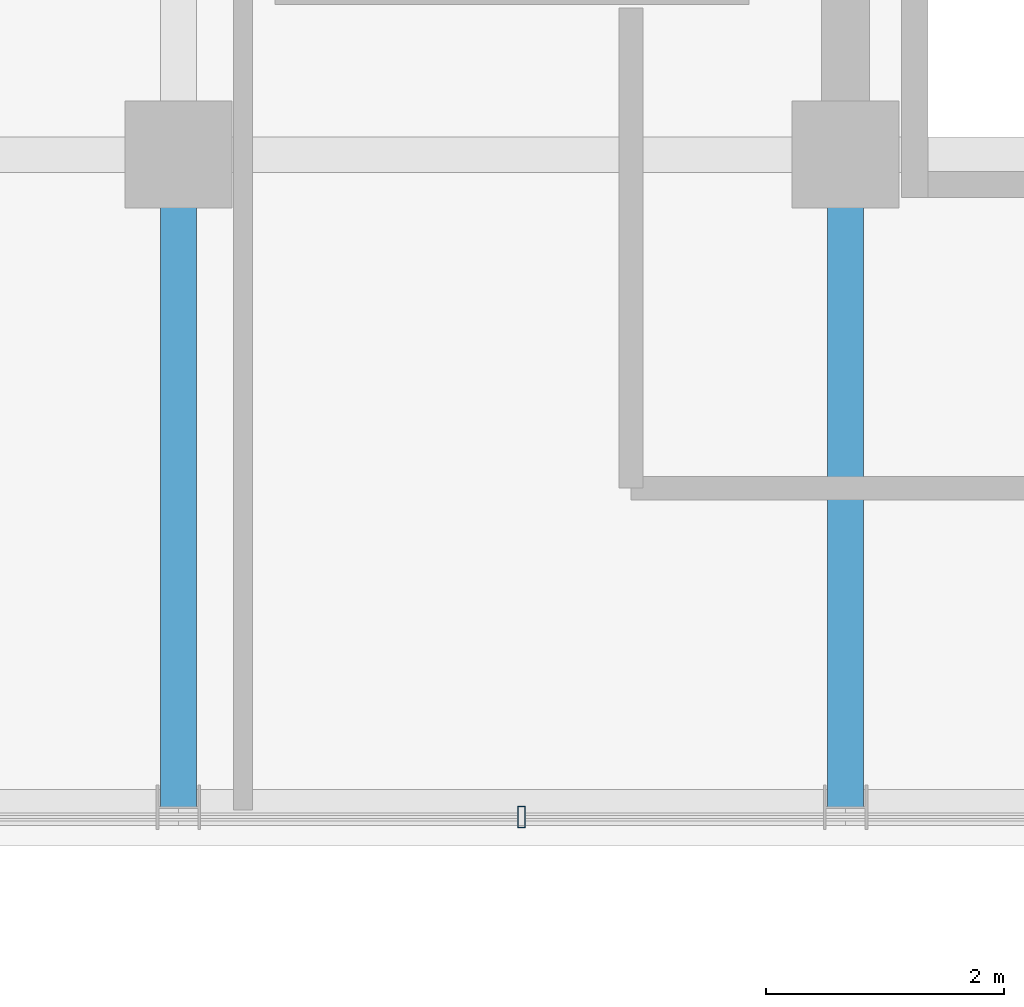
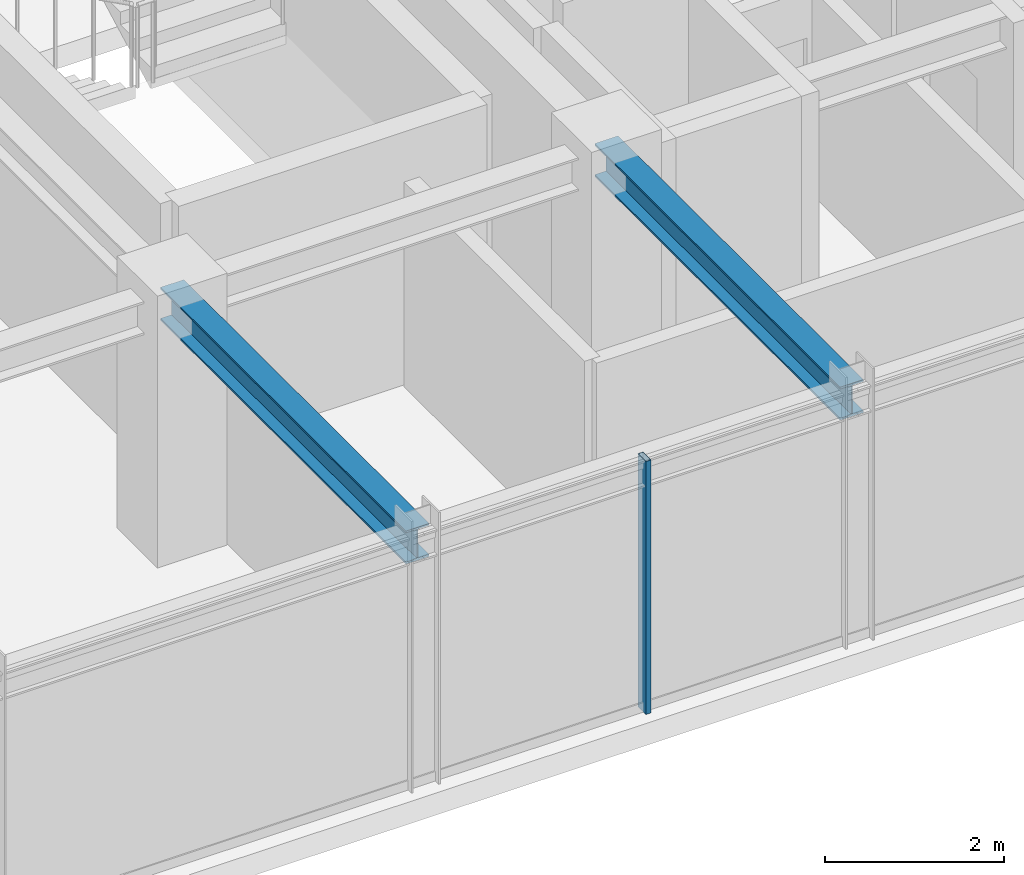
# One storey, part 7 of 33: 2 beams, 1 member, 1 element without a shape of its own.
"""IFC4 building model written with IfcOpenShell, lengths in metres."""

from ifc_helpers import new_model, si_unit, direction, frame, origin, origin_2d, place, context, subcontext, project, spatial, hollow_rectangle, i_section, extrude, source, transform, mapped, material, material_profile, profile_set, type_object, element, aggregate, save


model = new_model("IFC4")

# Units and contexts
model_context = context("Model", 3, precision=1e-05, world=origin(), true_north=direction((0.0, 1.0)))
body_context = subcontext(model_context, "Body", "Model", "MODEL_VIEW")
ifc_project = project(units=[si_unit("LENGTHUNIT", "METRE"), si_unit("AREAUNIT", "SQUARE_METRE"), si_unit("VOLUMEUNIT", "CUBIC_METRE"), si_unit("PLANEANGLEUNIT", "RADIAN"), si_unit("MASSUNIT", "GRAM", prefix="KILO")], contexts=[model_context])

# Site, building, storey
site_placement = place(None, origin())
site = spatial("IfcSite", under=ifc_project, at=site_placement, CompositionType="ELEMENT")
building_placement = place(site_placement, origin())
building = spatial("IfcBuilding", under=site, at=building_placement, Name="Nahalor Promenade Grand Hotel", CompositionType="ELEMENT")
storey_placement = place(building_placement, frame((0.0, 0.0, 270.050048828125)))
storey = spatial("IfcBuildingStorey", under=building, at=storey_placement, Name="L69", CompositionType="ELEMENT", Elevation=270.050048828125)

# Beams
ifc_material_1 = material(Name="Steel S355JR", Category="steel")
ifc_material_profile_1 = material_profile(ifc_material_1, i_section(OverallWidth=0.3, OverallDepth=0.45, WebThickness=0.014, FlangeThickness=0.026, at=origin_2d()), Name="HEB 450")
ifc_profile_set_1 = profile_set([ifc_material_profile_1], Name="Steel S355JR")
beam_type = type_object("IfcBeamType", Name="Beam-Girder-HEB450", PredefinedType="BEAM", material=ifc_profile_set_1)
shared_shape_1 = source(origin(), body_context, "Body", "SweptSolid", [
    extrude(i_section(OverallWidth=0.3, OverallDepth=0.45, WebThickness=0.014, FlangeThickness=0.026, at=origin_2d()), origin(), (0.0, 0.0, 1.0), 5.47998046875),
])
for number, where, z_axis, x_axis, name in (
    (1, (2.800048828125, -22.47998046875, 3.224853515625), (0.0, 1.0, 0.0), (-1.0, 0.0, 0.0), "BM-L69-GY-3-0"),
    (2, (8.39990234375, -22.47998046875, 3.224853515625), (0.0, 1.0, 0.0), (-1.0, 0.0, 0.0), "BM-L69-GY-4-0"),
):
    element("IfcBeam", number, at=place(storey_placement, frame(where, z_axis=z_axis, x_axis=x_axis)), inside=storey, type_object=beam_type, Name=name, PredefinedType="BEAM", context=body_context, shape_type="MappedRepresentation", body=[
        mapped(shared_shape_1, transform((0.0, 0.0, 0.0), scale=1.0)),
    ])

# Curtain wall, member
ifc_material_2 = material(Name="Anodised Bronze Aluminium EN AW-6063 T6", Category="aluminium")
curtain_wall_type = type_object("IfcCurtainWallType", Name="CW2 Typical Hotel Flush Bronze Unitised Curtain Wall", PredefinedType="USERDEFINED", material=ifc_material_2)
curtain_wall_placement = place(storey_placement, origin())
curtain_wall = element("IfcCurtainWall", 3, at=curtain_wall_placement, inside=storey, type_object=curtain_wall_type, Name="L69 Curtain Wall CW-L69-S-3", ObjectType="UNITISED_CURTAIN_WALL", PredefinedType="USERDEFINED")
ifc_material_profile_2 = material_profile(ifc_material_2, hollow_rectangle(XDim=0.065, YDim=0.18, WallThickness=0.004, at=origin_2d()), Name="CWM 65x180x4")
ifc_profile_set_2 = profile_set([ifc_material_profile_2], Name="Anodised Bronze Aluminium EN AW-6063 T6")
member_type = type_object("IfcMemberType", Name="CWM2 Typical Bronze Mullion 65x180", PredefinedType="MULLION", material=ifc_profile_set_2)
shared_shape_2 = source(origin(), body_context, "Body", "SweptSolid", [
    extrude(hollow_rectangle(XDim=0.065, YDim=0.18, WallThickness=0.004, at=origin_2d()), origin(), (0.0, 0.0, 1.0), 3.449951171875),
])
member_placement = place(storey_placement, frame((5.679931640625, -22.56005859375, 0.0), z_axis=(0.0, 0.0, 1.0), x_axis=(1.0, 0.0, 0.0)))
member = element("IfcMember", 4, at=member_placement, type_object=member_type, Name="CW-L69-S-3 Mullion 1", PredefinedType="MULLION", context=body_context, shape_type="MappedRepresentation", body=[
    mapped(shared_shape_2, transform((0.0, 0.0, 0.0), scale=1.0)),
])
aggregate(curtain_wall, [member])

save(model, "model.ifc")
